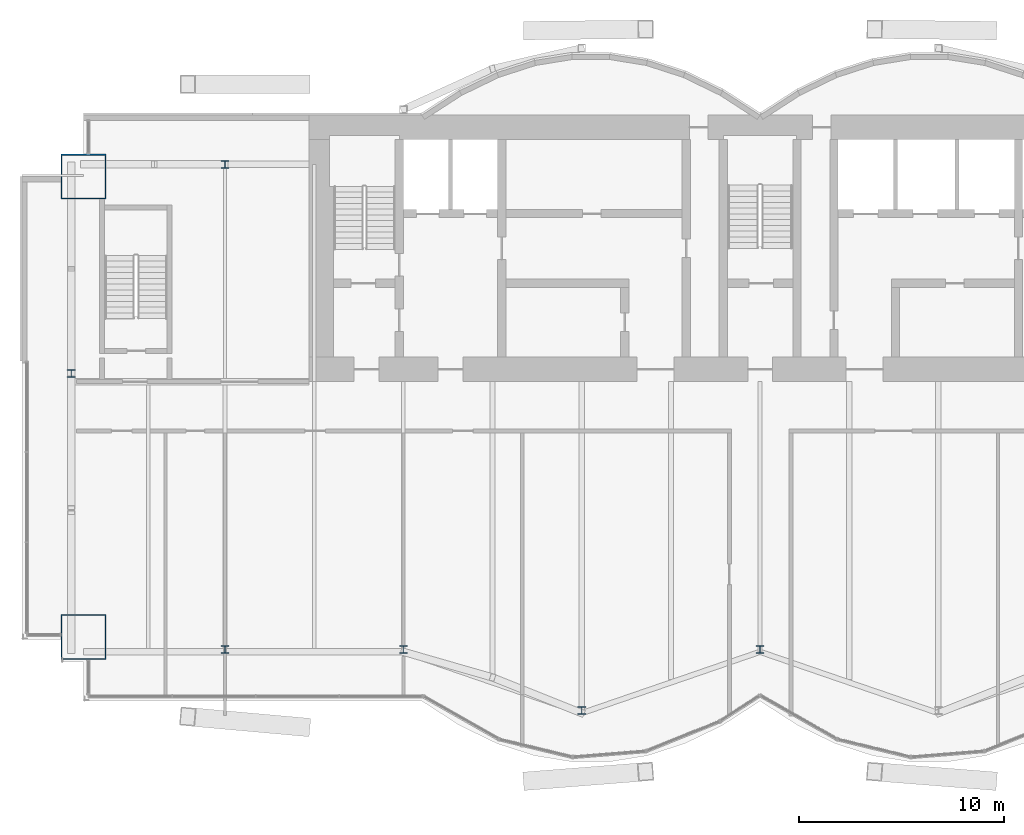
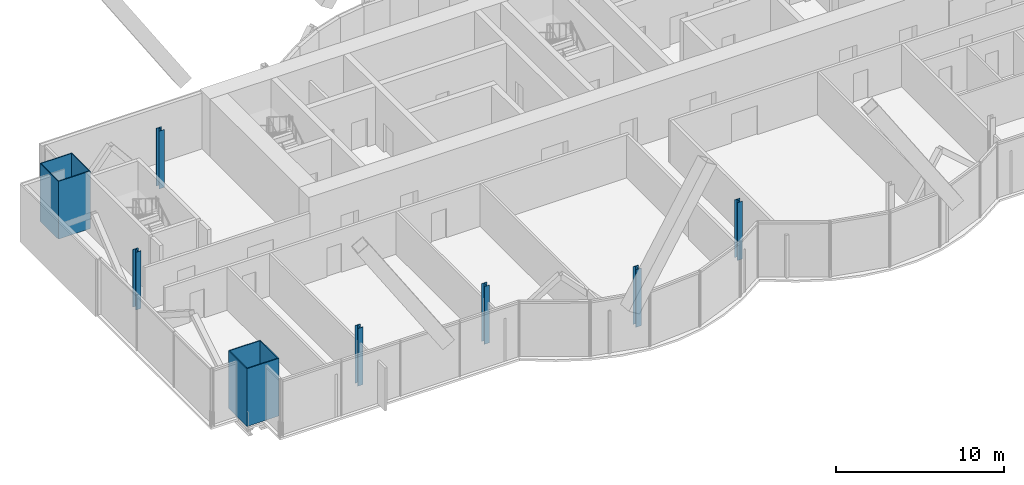
# One storey, part 1 of 19: 8 columns.
"""IFC4 building model written with IfcOpenShell, lengths in metres."""

from ifc_helpers import new_model, si_unit, direction, frame, origin, origin_2d, place, context, subcontext, project, spatial, hollow_rectangle, i_section, extrude, material, material_profile, profile_set, type_object, element, save


model = new_model("IFC4")

# Units and contexts
model_context = context("Model", 3, precision=1e-05, world=origin(), true_north=direction((0.0, 1.0)))
body_context = subcontext(model_context, "Body", "Model", "MODEL_VIEW")
ifc_project = project(units=[si_unit("LENGTHUNIT", "METRE"), si_unit("AREAUNIT", "SQUARE_METRE"), si_unit("VOLUMEUNIT", "CUBIC_METRE"), si_unit("PLANEANGLEUNIT", "RADIAN"), si_unit("MASSUNIT", "GRAM", prefix="KILO")], contexts=[model_context])

# Site, building, storey
site_placement = place(None, origin())
site = spatial("IfcSite", under=ifc_project, at=site_placement, CompositionType="ELEMENT")
building_placement = place(site_placement, origin())
building = spatial("IfcBuilding", under=site, at=building_placement, Name="Bicima Exchange Tower", CompositionType="ELEMENT")
storey_placement = place(building_placement, frame((0.0, 0.0, 270.800048828125)))
storey = spatial("IfcBuildingStorey", under=building, at=storey_placement, Name="L61", CompositionType="ELEMENT", Elevation=270.800048828125)

# Columns
ifc_material_1 = material(Name="Steel ASTM A572 Gr 50", Category="steel")
ifc_material_profile_1 = material_profile(ifc_material_1, hollow_rectangle(XDim=2.199951171875, YDim=2.199951171875, WallThickness=0.06005859375, at=origin_2d()))
ifc_profile_set_1 = profile_set([ifc_material_profile_1], Name="Steel ASTM A572 Gr 50")
column_type_1 = type_object("IfcColumnType", Name="Mega column BOX 2200x2200x60", PredefinedType="COLUMN", material=ifc_profile_set_1)
for number, where, z_axis, x_axis, name in (
    (1, (-33.0, -25.4580078125, 0.0), (0.0, 0.0, 1.0), (1.0, 0.0, 0.0), "Mega column mega-33.0f"),
    (2, (-33.0, -3.0, 0.0), (0.0, 0.0, 1.0), (1.0, 0.0, 0.0), "Mega column mega-33.0r"),
):
    element("IfcColumn", number, at=place(storey_placement, frame(where, z_axis=z_axis, x_axis=x_axis)), inside=storey, type_object=column_type_1, Name=name, PredefinedType="COLUMN", context=body_context, shape_type="SweptSolid", body=[
        extrude(hollow_rectangle(XDim=2.199951171875, YDim=2.199951171875, WallThickness=0.06005859375, at=origin_2d()), origin(), (0.0, 0.0, 1.0), 4.199951171875),
    ])
ifc_material_2 = material(Name="Steel ASTM A992 Gr 50", Category="steel")
ifc_material_profile_2 = material_profile(ifc_material_2, i_section(OverallWidth=0.370849609375, OverallDepth=0.36328125, WebThickness=0.013427734375, FlangeThickness=0.021728515625, at=origin_2d()))
ifc_profile_set_2 = profile_set([ifc_material_profile_2], Name="Steel ASTM A992 Gr 50")
column_type_2 = type_object("IfcColumnType", Name="Perimeter column W14x109", PredefinedType="COLUMN", material=ifc_profile_set_2)
for number, where, z_axis, x_axis, name in (
    (3, (-26.10009765625, -26.05810546875, 0.0), (0.0, 0.0, 1.0), (1.0, 0.0, 0.0), "Perimeter column grav-26.1f"),
    (4, (-26.10009765625, -2.39990234375, 0.0), (0.0, 0.0, 1.0), (1.0, 0.0, 0.0), "Perimeter column grav-26.1r"),
    (5, (-17.39990234375, -26.05810546875, 0.0), (0.0, 0.0, 1.0), (1.0, 0.0, 0.0), "Perimeter column grav-17.4f"),
    (6, (-8.699951171875, -29.049072265625, 0.0), (0.0, 0.0, 1.0), (1.0, 0.0, 0.0), "Perimeter column grav-8.7f"),
    (7, (0.0, -26.05810546875, 0.0), (0.0, 0.0, 1.0), (1.0, 0.0, 0.0), "Perimeter column grav-0.0f"),
    (8, (-33.60009765625, -12.60009765625, 0.0), (0.0, 0.0, 1.0), (1.0, 0.0, 0.0), "End column end-33.6e"),
):
    element("IfcColumn", number, at=place(storey_placement, frame(where, z_axis=z_axis, x_axis=x_axis)), inside=storey, type_object=column_type_2, Name=name, PredefinedType="COLUMN", context=body_context, shape_type="SweptSolid", body=[
        extrude(i_section(OverallWidth=0.370849609375, OverallDepth=0.36328125, WebThickness=0.013427734375, FlangeThickness=0.021728515625, at=origin_2d()), origin(), (0.0, 0.0, 1.0), 4.199951171875),
    ])

save(model, "model.ifc")
